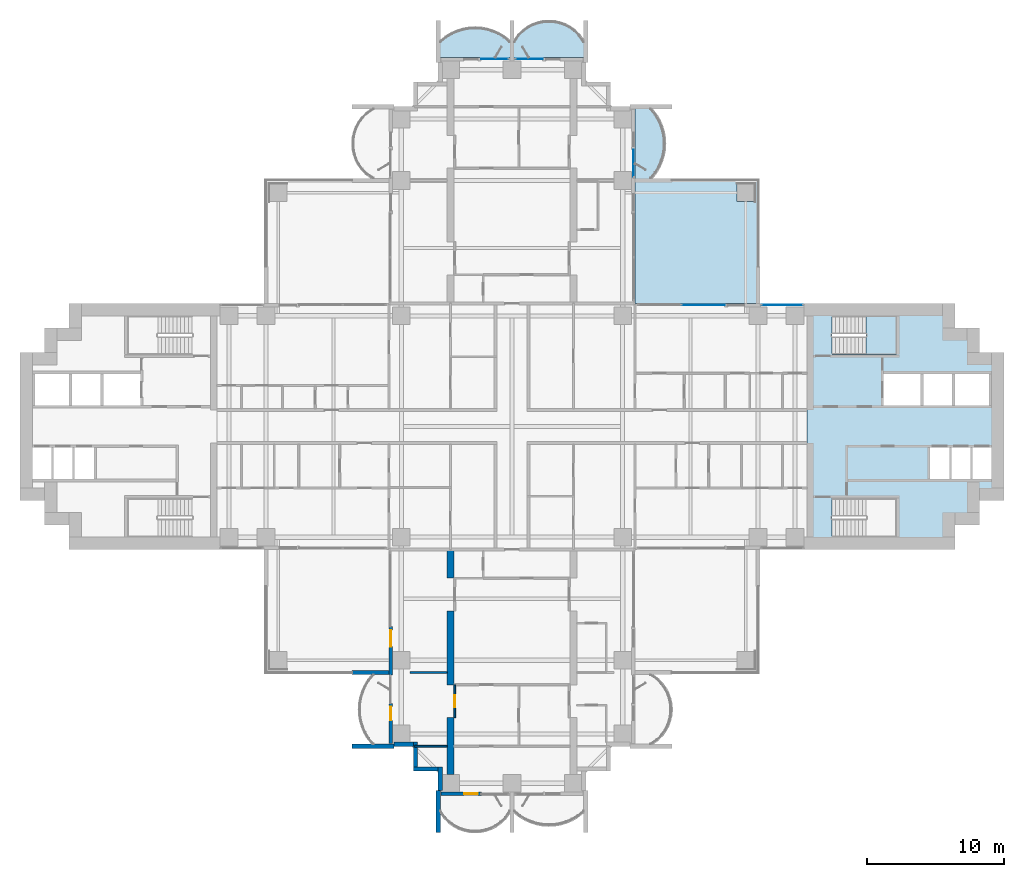
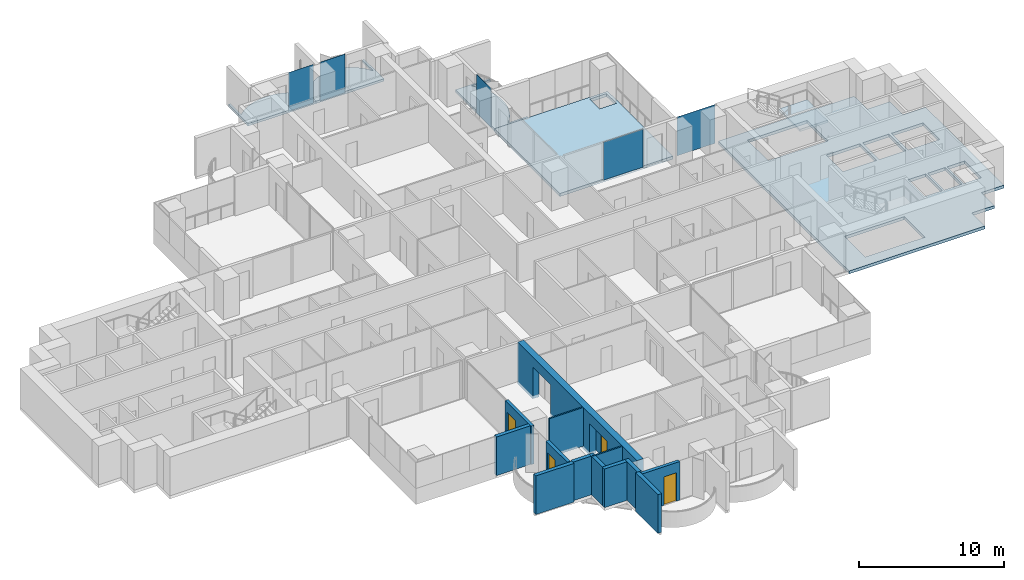
# One storey, part 9 of 21: 14 walls, 6 slabs, 5 plates, 4 doors, 4 openings, 6 elements without a shape of their own.
"""IFC4 building model written with IfcOpenShell, lengths in metres."""

from ifc_helpers import new_model, si_unit, direction, frame, frame_2d, origin, origin_2d, place, context, subcontext, project, spatial, polyline, rectangle, outline, extrude, material, layer, layer_set, material_profile, profile_set, type_object, element, fill, aggregate, save


model = new_model("IFC4")

# Units and contexts
model_context = context("Model", 3, precision=1e-05, world=origin(), true_north=direction((0.0, 1.0)))
body_context = subcontext(model_context, "Body", "Model", "MODEL_VIEW")
ifc_project = project(units=[si_unit("LENGTHUNIT", "METRE"), si_unit("AREAUNIT", "SQUARE_METRE"), si_unit("VOLUMEUNIT", "CUBIC_METRE"), si_unit("PLANEANGLEUNIT", "RADIAN"), si_unit("MASSUNIT", "GRAM", prefix="KILO")], contexts=[model_context])

# Site, building, storey
site_placement = place(None, origin())
site = spatial("IfcSite", under=ifc_project, at=site_placement, CompositionType="ELEMENT")
building_placement = place(site_placement, origin())
building = spatial("IfcBuilding", under=site, at=building_placement, Name="Perihelion Cross Residences", CompositionType="ELEMENT")
storey_placement = place(building_placement, frame((0.0, 0.0, 54.0)))
storey = spatial("IfcBuildingStorey", under=building, at=storey_placement, Name="L10", CompositionType="ELEMENT", Elevation=54.0)

# Slabs
ifc_material_1 = material(Name="Concrete C40/50", Category="concrete")
ifc_layer_1 = layer(ifc_material_1, 0.199951171875)
ifc_layer_set_1 = layer_set([ifc_layer_1], Name="Balcony slab 200")
slab_type_1 = type_object("IfcSlabType", Name="Balcony slab 200", PredefinedType="FLOOR", material=ifc_layer_set_1)
slab_1_placement = place(storey_placement, frame((0.0, 0.0, -0.199951171875)))
element("IfcSlab", 1, at=slab_1_placement, inside=storey, type_object=slab_type_1, Name="Slab BK1 L10 north side east bay 2 balcony", PredefinedType="FLOOR", context=body_context, shape_type="SweptSolid", body=[
    extrude(outline(polyline([(9.0, 18.0), (9.0, 23.39990234375), (11.699951171875, 23.39990234375), (11.699951171875, 23.25), (10.199951171875, 23.25), (10.5400390625, 22.824951171875), (10.792724609375, 22.39990234375), (10.9765625, 21.97509765625), (11.1025390625, 21.550048828125), (11.17578125, 21.125), (11.199951171875, 20.699951171875), (11.17578125, 20.27490234375), (11.1025390625, 19.85009765625), (10.9765625, 19.425048828125), (10.792724609375, 19.0), (10.5400390625, 18.574951171875), (10.199951171875, 18.14990234375), (11.699951171875, 18.14990234375), (11.699951171875, 18.0), (9.0, 18.0)])), origin(), (0.0, 0.0, 1.0), 0.199951171875),
])
slab_2_placement = place(storey_placement, frame((0.0, 0.0, -0.199951171875)))
element("IfcSlab", 2, at=slab_2_placement, inside=storey, type_object=slab_type_1, Name="Slab BK1 L10 north tip north bay 1 balcony", PredefinedType="FLOOR", context=body_context, shape_type="SweptSolid", body=[
    extrude(outline(polyline([(5.39990234375, 27.0), (0.0, 27.0), (0.0, 29.699951171875), (0.14990234375, 29.699951171875), (0.14990234375, 28.199951171875), (0.489990234375, 28.6767578125), (0.830078125, 29.007080078125), (1.169921875, 29.2490234375), (1.510009765625, 29.42724609375), (1.85009765625, 29.553466796875), (2.18994140625, 29.63427734375), (2.530029296875, 29.674072265625), (2.8701171875, 29.674072265625), (3.2099609375, 29.63427734375), (3.550048828125, 29.553466796875), (3.889892578125, 29.42724609375), (4.22998046875, 29.2490234375), (4.570068359375, 29.007080078125), (4.909912109375, 28.6767578125), (5.25, 28.199951171875), (5.25, 29.699951171875), (5.39990234375, 29.699951171875), (5.39990234375, 27.0)])), origin(), (0.0, 0.0, 1.0), 0.199951171875),
])
slab_3_placement = place(storey_placement, frame((0.0, 0.0, -0.199951171875)))
element("IfcSlab", 3, at=slab_3_placement, inside=storey, type_object=slab_type_1, Name="Slab BK1 L10 north tip north bay 2 balcony", PredefinedType="FLOOR", context=body_context, shape_type="SweptSolid", body=[
    extrude(outline(polyline([(0.0, 27.0), (-5.39990234375, 27.0), (-5.39990234375, 29.699951171875), (-5.25, 29.699951171875), (-5.25, 28.199951171875), (-4.824951171875, 28.5400390625), (-4.39990234375, 28.792724609375), (-3.97509765625, 28.9765625), (-3.550048828125, 29.1025390625), (-3.125, 29.17578125), (-2.699951171875, 29.199951171875), (-2.27490234375, 29.17578125), (-1.85009765625, 29.1025390625), (-1.425048828125, 28.9765625), (-1.0, 28.792724609375), (-0.574951171875, 28.5400390625), (-0.14990234375, 28.199951171875), (-0.14990234375, 29.699951171875), (0.0, 29.699951171875), (0.0, 27.0)])), origin(), (0.0, 0.0, 1.0), 0.199951171875),
])

# Curtain wall, plate
ifc_material_2 = material(Name="Bronze anodised aluminium, tinted glazing", Category="aluminium")
curtain_wall_type = type_object("IfcCurtainWallType", Name="CW1", PredefinedType="NOTDEFINED", material=ifc_material_2)
curtain_wall_1_placement = place(storey_placement, origin())
curtain_wall_1 = element("IfcCurtainWall", 4, at=curtain_wall_1_placement, inside=storey, type_object=curtain_wall_type, Name="Curtain wall CW1 L10 east side north bay 1", PredefinedType="NOTDEFINED")
ifc_material_3 = material(Name="Tinted laminated glass", Category="glass")
ifc_layer_2 = layer(ifc_material_3, 0.028076171875)
ifc_layer_set_2 = layer_set([ifc_layer_2], Name="CW1 panel")
plate_type = type_object("IfcPlateType", Name="CW1 panel", PredefinedType="CURTAIN_PANEL", material=ifc_layer_set_2)
plate_1_placement = place(storey_placement, frame((19.77490234375, 8.89990234375, 0.0), z_axis=(0.0, 0.0, 1.0), x_axis=(-1.0, 0.0, 0.0)))
plate_1 = element("IfcPlate", 5, at=plate_1_placement, type_object=plate_type, Name="CW1 panel 1", PredefinedType="CURTAIN_PANEL", context=body_context, shape_type="SweptSolid", body=[
    extrude(rectangle(XDim=3.030029296875, YDim=0.028076171875, at=origin_2d()), origin(), (0.0, 0.0, 1.0), 3.25),
])
aggregate(curtain_wall_1, [plate_1])

curtain_wall_2_placement = place(storey_placement, origin())
curtain_wall_2 = element("IfcCurtainWall", 6, at=curtain_wall_2_placement, inside=storey, type_object=curtain_wall_type, Name="Curtain wall CW1 L10 east side north bay 2", PredefinedType="NOTDEFINED")
plate_2_placement = place(storey_placement, frame((13.9775390625, 8.89990234375, 0.0), z_axis=(0.0, 0.0, 1.0), x_axis=(-1.0, 0.0, 0.0)))
plate_2 = element("IfcPlate", 7, at=plate_2_placement, type_object=plate_type, Name="CW1 panel 1", PredefinedType="CURTAIN_PANEL", context=body_context, shape_type="SweptSolid", body=[
    extrude(rectangle(XDim=3.14501953125, YDim=0.028076171875, at=origin_2d()), origin(), (0.0, 0.0, 1.0), 3.18994140625),
])
aggregate(curtain_wall_2, [plate_2])

curtain_wall_3_placement = place(storey_placement, origin())
curtain_wall_3 = element("IfcCurtainWall", 8, at=curtain_wall_3_placement, inside=storey, type_object=curtain_wall_type, Name="Curtain wall CW1 L10 north side east bay 2", PredefinedType="NOTDEFINED")
plate_3_placement = place(storey_placement, frame((8.89990234375, 19.2548828125, 0.0), z_axis=(0.0, 0.0, 1.0), x_axis=(0.0, 1.0, 0.0)))
plate_3 = element("IfcPlate", 9, at=plate_3_placement, type_object=plate_type, Name="CW1 panel 1", PredefinedType="CURTAIN_PANEL", context=body_context, shape_type="SweptSolid", body=[
    extrude(rectangle(XDim=1.989990234375, YDim=0.028076171875, at=origin_2d()), origin(), (0.0, 0.0, 1.0), 3.25),
])
aggregate(curtain_wall_3, [plate_3])

curtain_wall_4_placement = place(storey_placement, origin())
curtain_wall_4 = element("IfcCurtainWall", 10, at=curtain_wall_4_placement, inside=storey, type_object=curtain_wall_type, Name="Curtain wall CW1 L10 north tip north bay 1", PredefinedType="NOTDEFINED")
plate_4_placement = place(storey_placement, frame((1.2548828125, 26.89990234375, 0.0), z_axis=(0.0, 0.0, 1.0), x_axis=(-1.0, 0.0, 0.0)))
plate_4 = element("IfcPlate", 11, at=plate_4_placement, type_object=plate_type, Name="CW1 panel 1", PredefinedType="CURTAIN_PANEL", context=body_context, shape_type="SweptSolid", body=[
    extrude(rectangle(XDim=1.989990234375, YDim=0.028076171875, at=origin_2d()), origin(), (0.0, 0.0, 1.0), 3.25),
])
aggregate(curtain_wall_4, [plate_4])

curtain_wall_5_placement = place(storey_placement, origin())
curtain_wall_5 = element("IfcCurtainWall", 12, at=curtain_wall_5_placement, inside=storey, type_object=curtain_wall_type, Name="Curtain wall CW1 L10 north tip north bay 2", PredefinedType="NOTDEFINED")
plate_5_placement = place(storey_placement, frame((-1.2548828125, 26.89990234375, 0.0), z_axis=(0.0, 0.0, 1.0), x_axis=(-1.0, 0.0, 0.0)))
plate_5 = element("IfcPlate", 13, at=plate_5_placement, type_object=plate_type, Name="CW1 panel 1", PredefinedType="CURTAIN_PANEL", context=body_context, shape_type="SweptSolid", body=[
    extrude(rectangle(XDim=1.989990234375, YDim=0.028076171875, at=origin_2d()), origin(), (0.0, 0.0, 1.0), 3.25),
])
aggregate(curtain_wall_5, [plate_5])

# Slabs
ifc_material_4 = material(Name="Concrete C40/50", Category="concrete")
ifc_layer_3 = layer(ifc_material_4, 0.25)
ifc_layer_set_3 = layer_set([ifc_layer_3], Name="Core floor slab 250")
slab_type_2 = type_object("IfcSlabType", Name="Core floor slab 250", PredefinedType="FLOOR", material=ifc_layer_set_3)
slab_4_placement = place(storey_placement, frame((0.0, 0.0, -0.25)))
element("IfcSlab", 14, at=slab_4_placement, inside=storey, type_object=slab_type_2, Name="East core floor slab", PredefinedType="FLOOR", context=body_context, shape_type="SweptSolid", body=[
    extrude(outline(polyline([(32.39990234375, 7.199951171875), (34.199951171875, 7.199951171875), (34.199951171875, 5.39990234375), (36.0, 5.39990234375), (36.0, -5.39990234375), (34.199951171875, -5.39990234375), (34.199951171875, -7.199951171875), (32.39990234375, -7.199951171875), (32.39990234375, -9.0), (21.60009765625, -9.0), (21.60009765625, 9.0), (32.39990234375, 9.0), (32.39990234375, 7.199951171875)]), holes=[polyline([(23.405029296875, -8.10009765625), (28.14990234375, -8.10009765625), (28.14990234375, -5.25), (23.405029296875, -5.25), (23.405029296875, -8.10009765625)]), polyline([(30.60009765625, -1.550048828125), (30.60009765625, -3.85009765625), (32.0, -3.85009765625), (32.0, -1.550048828125), (30.60009765625, -1.550048828125)]), polyline([(32.14990234375, -1.550048828125), (32.14990234375, -3.85009765625), (33.550048828125, -3.85009765625), (33.550048828125, -1.550048828125), (32.14990234375, -1.550048828125)]), polyline([(33.699951171875, -1.550048828125), (33.699951171875, -3.85009765625), (35.10009765625, -3.85009765625), (35.10009765625, -1.550048828125), (33.699951171875, -1.550048828125)]), polyline([(27.199951171875, 3.85009765625), (27.199951171875, 1.550048828125), (29.89990234375, 1.550048828125), (29.89990234375, 3.85009765625), (27.199951171875, 3.85009765625)]), polyline([(30.10009765625, 3.85009765625), (30.10009765625, 1.550048828125), (32.199951171875, 1.550048828125), (32.199951171875, 3.85009765625), (30.10009765625, 3.85009765625)]), polyline([(32.39990234375, 3.85009765625), (32.39990234375, 1.550048828125), (34.89990234375, 1.550048828125), (34.89990234375, 3.85009765625), (32.39990234375, 3.85009765625)]), polyline([(23.405029296875, 5.25), (28.14990234375, 5.25), (28.14990234375, 8.10009765625), (23.405029296875, 8.10009765625), (23.405029296875, 5.25)])]), origin(), (0.0, 0.0, 1.0), 0.25),
])
ifc_material_5 = material(Name="Concrete C40/50", Category="concrete")
ifc_layer_4 = layer(ifc_material_5, 0.25)
ifc_layer_set_4 = layer_set([ifc_layer_4], Name="Corner terrace slab")
slab_type_3 = type_object("IfcSlabType", Name="Corner terrace slab", PredefinedType="FLOOR", material=ifc_layer_set_4)
slab_5_placement = place(storey_placement, frame((0.0, 0.0, -0.25)))
element("IfcSlab", 15, at=slab_5_placement, inside=storey, type_object=slab_type_3, Name="Slab BK2 L10 pocket north-east", PredefinedType="FLOOR", context=body_context, shape_type="SweptSolid", body=[
    extrude(outline(polyline([(18.0, 9.0), (18.0, 18.0), (9.0, 18.0), (9.0, 9.0), (18.0, 9.0)]), holes=[polyline([(16.449951171875, 16.449951171875), (16.449951171875, 17.7900390625), (17.7900390625, 17.7900390625), (17.7900390625, 16.409912109375), (17.75, 16.409912109375), (17.75, 16.449951171875), (16.449951171875, 16.449951171875)])]), origin(), (0.0, 0.0, 1.0), 0.25),
])

# Stair, slab
ifc_material_6 = material(Name="Concrete C40/50", Category="concrete")
stair_type = type_object("IfcStairType", Name="Exit stair, half-turn", PredefinedType="HALF_TURN_STAIR", material=ifc_material_6)
stair_placement = place(storey_placement, origin())
stair = element("IfcStair", 16, at=stair_placement, inside=storey, type_object=stair_type, Name="L10 East core exit stair 1", PredefinedType="HALF_TURN_STAIR")
ifc_material_7 = material(Name="Concrete C40/50", Category="concrete")
ifc_layer_5 = layer(ifc_material_7, 0.199951171875)
ifc_layer_set_5 = layer_set([ifc_layer_5], Name="Exit stair landing 200")
slab_type_4 = type_object("IfcSlabType", Name="Exit stair landing 200", PredefinedType="LANDING", material=ifc_layer_set_5)
slab_6_placement = place(storey_placement, frame((0.0, 0.0, 1.550048828125)))
slab_6 = element("IfcSlab", 17, at=slab_6_placement, type_object=slab_type_4, Name="ST-E1 landing 1", PredefinedType="LANDING", context=body_context, shape_type="SweptSolid", body=[
    extrude(outline(polyline([(25.919921875, 5.25), (28.14990234375, 5.25), (28.14990234375, 8.10009765625), (25.919921875, 8.10009765625), (25.919921875, 5.25)])), origin(), (0.0, 0.0, 1.0), 0.199951171875),
])
aggregate(stair, [slab_6])

# Wall, opening, door
ifc_material_8 = material(Name="Concrete C30/37, bronze-clad", Category="concrete")
ifc_layer_6 = layer(ifc_material_8, 0.25)
ifc_layer_set_6 = layer_set([ifc_layer_6], Name="Bronze-clad pier wall 250")
wall_type_1 = type_object("IfcWallType", Name="Bronze-clad pier wall 250", PredefinedType="SOLIDWALL", material=ifc_layer_set_6)
wall_1_placement = place(storey_placement, frame((-8.875, -14.64990234375, 0.0), z_axis=(0.0, 0.0, 1.0), x_axis=(0.0, -1.0, 0.0)))
wall_1 = element("IfcWall", 18, at=wall_1_placement, inside=storey, type_object=wall_type_1, Name="Wall FW1 L10 south side west bay 1 pier", PredefinedType="SOLIDWALL", context=body_context, shape_type="SweptSolid", body=[
    extrude(rectangle(XDim=3.550048828125, YDim=0.25, at=frame_2d((1.77490234375, 0.0))), origin(), (0.0, 0.0, 1.0), 3.25),
])
opening_1_placement = place(wall_1_placement, frame((0.25, 0.0, 0.0)))
opening_1 = element("IfcOpeningElement", 19, at=opening_1_placement, cuts=wall_1, Name="Opening L10.E10", PredefinedType="OPENING", context=body_context, shape_type="SweptSolid", body=[
    extrude(rectangle(XDim=1.199951171875, YDim=2.39990234375, at=frame_2d((0.60009765625, 1.199951171875))), frame((0.0, 0.135009765625, 0.0), z_axis=(0.0, -1.0, 0.0), x_axis=(1.0, 0.0, 0.0)), (0.0, 0.0, 1.0), 0.27001953125),
])
ifc_material_9 = material(Name="Bronze anodised aluminium, glazed", Category="aluminium")
door_type_1 = type_object("IfcDoorType", Name="Balcony door 1200 x 2400", OperationType="NOTDEFINED", PredefinedType="DOOR", material=ifc_material_9)
door_1_placement = place(opening_1_placement, origin())
door_1 = element("IfcDoor", 20, at=door_1_placement, inside=storey, type_object=door_type_1, Name="Door L10.E10 south side west bay 1", OperationType="SINGLE_SWING_LEFT", OverallHeight=2.39990234375, OverallWidth=1.199951171875, PredefinedType="DOOR", context=body_context, shape_type="SweptSolid", body=[
    extrude(rectangle(XDim=1.199951171875, YDim=2.39990234375, at=frame_2d((0.60009765625, 1.199951171875))), frame((0.0, 0.02490234375, 0.0), z_axis=(0.0, -1.0, 0.0), x_axis=(1.0, 0.0, 0.0)), (0.0, 0.0, 1.0), 0.050048828125),
])
fill(opening_1, door_1)

wall_2_placement = place(storey_placement, frame((-8.875, -20.25, 0.0), z_axis=(0.0, 0.0, 1.0), x_axis=(0.0, -1.0, 0.0)))
wall_2 = element("IfcWall", 21, at=wall_2_placement, inside=storey, type_object=wall_type_1, Name="Wall FW1 L10 south side west bay 2 pier", PredefinedType="SOLIDWALL", context=body_context, shape_type="SweptSolid", body=[
    extrude(rectangle(XDim=2.949951171875, YDim=0.25, at=frame_2d((1.47509765625, 0.0))), origin(), (0.0, 0.0, 1.0), 3.25),
])
opening_2_placement = place(wall_2_placement, frame((0.25, 0.0, 0.0)))
opening_2 = element("IfcOpeningElement", 22, at=opening_2_placement, cuts=wall_2, Name="Opening L10.E11", PredefinedType="OPENING", context=body_context, shape_type="SweptSolid", body=[
    extrude(rectangle(XDim=1.0, YDim=2.39990234375, at=frame_2d((0.5, 1.199951171875))), frame((0.0, 0.135009765625, 0.0), z_axis=(0.0, -1.0, 0.0), x_axis=(1.0, 0.0, 0.0)), (0.0, 0.0, 1.0), 0.27001953125),
])
ifc_material_10 = material(Name="Bronze anodised aluminium, glazed", Category="aluminium")
door_type_2 = type_object("IfcDoorType", Name="Balcony door 1000 x 2400", OperationType="NOTDEFINED", PredefinedType="DOOR", material=ifc_material_10)
door_2_placement = place(opening_2_placement, origin())
door_2 = element("IfcDoor", 23, at=door_2_placement, inside=storey, type_object=door_type_2, Name="Door L10.E11 south side west bay 2", OperationType="SINGLE_SWING_RIGHT", OverallHeight=2.39990234375, OverallWidth=1.0, PredefinedType="DOOR", context=body_context, shape_type="SweptSolid", body=[
    extrude(rectangle(XDim=1.0, YDim=2.39990234375, at=frame_2d((0.5, 1.199951171875))), frame((0.0, 0.02490234375, 0.0), z_axis=(0.0, -1.0, 0.0), x_axis=(1.0, 0.0, 0.0)), (0.0, 0.0, 1.0), 0.050048828125),
])
fill(opening_2, door_2)

wall_3_placement = place(storey_placement, frame((-5.199951171875, -26.875, 0.0), z_axis=(0.0, 0.0, 1.0), x_axis=(1.0, 0.0, 0.0)))
wall_3 = element("IfcWall", 24, at=wall_3_placement, inside=storey, type_object=wall_type_1, Name="Wall FW1 L10 south tip south bay 1 pier", PredefinedType="SOLIDWALL", context=body_context, shape_type="SweptSolid", body=[
    extrude(rectangle(XDim=2.949951171875, YDim=0.25, at=frame_2d((1.47509765625, 0.0))), origin(), (0.0, 0.0, 1.0), 3.25),
])
opening_3_placement = place(wall_3_placement, frame((1.699951171875, 0.0, 0.0)))
opening_3 = element("IfcOpeningElement", 25, at=opening_3_placement, cuts=wall_3, Name="Opening L10.E12", PredefinedType="OPENING", context=body_context, shape_type="SweptSolid", body=[
    extrude(rectangle(XDim=1.0, YDim=2.39990234375, at=frame_2d((0.5, 1.199951171875))), frame((0.0, 0.135009765625, 0.0), z_axis=(0.0, -1.0, 0.0), x_axis=(1.0, 0.0, 0.0)), (0.0, 0.0, 1.0), 0.27001953125),
])
door_3_placement = place(opening_3_placement, origin())
door_3 = element("IfcDoor", 26, at=door_3_placement, inside=storey, type_object=door_type_2, Name="Door L10.E12 south tip south bay 1", OperationType="SINGLE_SWING_LEFT", OverallHeight=2.39990234375, OverallWidth=1.0, PredefinedType="DOOR", context=body_context, shape_type="SweptSolid", body=[
    extrude(rectangle(XDim=1.0, YDim=2.39990234375, at=frame_2d((0.5, 1.199951171875))), frame((0.0, 0.02490234375, 0.0), z_axis=(0.0, -1.0, 0.0), x_axis=(1.0, 0.0, 0.0)), (0.0, 0.0, 1.0), 0.050048828125),
])
fill(opening_3, door_3)

# Walls
ifc_material_11 = material(Name="Concrete C30/37, bronze-clad", Category="concrete")
ifc_layer_7 = layer(ifc_material_11, 0.300048828125)
ifc_layer_set_7 = layer_set([ifc_layer_7], Name="Bronze-clad serration wall 300")
wall_type_2 = type_object("IfcWallType", Name="Bronze-clad serration wall 300", PredefinedType="SOLIDWALL", material=ifc_layer_set_7)
wall_4_placement = place(storey_placement, frame((-8.64990234375, -23.25, 0.0), z_axis=(0.0, 0.0, 1.0), x_axis=(1.0, 0.0, 0.0)))
element("IfcWall", 27, at=wall_4_placement, inside=storey, type_object=wall_type_2, Name="Wall SR1 L10 south corner south-west 1", PredefinedType="SOLIDWALL", context=body_context, shape_type="SweptSolid", body=[
    extrude(rectangle(XDim=1.449951171875, YDim=0.300048828125, at=frame_2d((0.72509765625, 0.0))), origin(), (0.0, 0.0, 1.0), 3.25),
])
wall_5_placement = place(storey_placement, frame((-7.050048828125, -23.10009765625, 0.0), z_axis=(0.0, 0.0, 1.0), x_axis=(0.0, -1.0, 0.0)))
element("IfcWall", 28, at=wall_5_placement, inside=storey, type_object=wall_type_2, Name="Wall SR1 L10 south corner south-west 2", PredefinedType="SOLIDWALL", context=body_context, shape_type="SweptSolid", body=[
    extrude(rectangle(XDim=1.7998046875, YDim=0.300048828125, at=frame_2d((0.89990234375, 0.0))), origin(), (0.0, 0.0, 1.0), 3.25),
])
wall_6_placement = place(storey_placement, frame((-7.199951171875, -25.050048828125, 0.0), z_axis=(0.0, 0.0, 1.0), x_axis=(1.0, 0.0, 0.0)))
element("IfcWall", 29, at=wall_6_placement, inside=storey, type_object=wall_type_2, Name="Wall SR1 L10 south corner south-west 3", PredefinedType="SOLIDWALL", context=body_context, shape_type="SweptSolid", body=[
    extrude(rectangle(XDim=1.800048828125, YDim=0.300048828125, at=frame_2d((0.89990234375, 0.0))), origin(), (0.0, 0.0, 1.0), 3.25),
])
wall_7_placement = place(storey_placement, frame((-5.25, -24.89990234375, 0.0), z_axis=(0.0, 0.0, 1.0), x_axis=(0.0, -1.0, 0.0)))
element("IfcWall", 30, at=wall_7_placement, inside=storey, type_object=wall_type_2, Name="Wall SR1 L10 south corner south-west 4", PredefinedType="SOLIDWALL", context=body_context, shape_type="SweptSolid", body=[
    extrude(rectangle(XDim=1.75, YDim=0.300048828125, at=frame_2d((0.875, 0.0))), origin(), (0.0, 0.0, 1.0), 3.25),
])

# Wall, opening, door
ifc_material_12 = material(Name="Plasterboard partition")
ifc_layer_8 = layer(ifc_material_12, 0.1201171875)
ifc_layer_set_8 = layer_set([ifc_layer_8], Name="Infill panel 120")
wall_type_3 = type_object("IfcWallType", Name="Infill panel 120", PredefinedType="PARTITIONING", material=ifc_layer_set_8)
wall_8_placement = place(storey_placement, frame((-4.18994140625, -18.89990234375, 0.0), z_axis=(0.0, 0.0, 1.0), x_axis=(0.0, -1.0, 0.0)))
wall_8 = element("IfcWall", 31, at=wall_8_placement, inside=storey, type_object=wall_type_3, Name="Partition L10 WI08", PredefinedType="PARTITIONING", context=body_context, shape_type="SweptSolid", body=[
    extrude(rectangle(XDim=2.400146484375, YDim=0.1201171875, at=frame_2d((1.2001953125, 0.0))), origin(), (0.0, 0.0, 1.0), 2.39990234375),
])
opening_4_placement = place(wall_8_placement, frame((0.75, 0.0, 0.0)))
opening_4 = element("IfcOpeningElement", 32, at=opening_4_placement, cuts=wall_8, Name="Opening L10.A58", PredefinedType="OPENING", context=body_context, shape_type="SweptSolid", body=[
    extrude(rectangle(XDim=0.89990234375, YDim=2.10009765625, at=frame_2d((0.449951171875, 1.050048828125))), frame((0.0, 0.070068359375, 0.0), z_axis=(0.0, -1.0, 0.0), x_axis=(1.0, 0.0, 0.0)), (0.0, 0.0, 1.0), 0.14013671875),
])
ifc_material_13 = material(Name="Timber door leaf", Category="wood")
door_type_3 = type_object("IfcDoorType", Name="Interior room door 900 x 2100", OperationType="SINGLE_SWING_LEFT", PredefinedType="DOOR", material=ifc_material_13)
door_4_placement = place(opening_4_placement, origin())
door_4 = element("IfcDoor", 33, at=door_4_placement, inside=storey, type_object=door_type_3, Name="Door L10.A58", OperationType="SINGLE_SWING_RIGHT", OverallHeight=2.10009765625, OverallWidth=0.89990234375, PredefinedType="DOOR", context=body_context, shape_type="SweptSolid", body=[
    extrude(rectangle(XDim=0.89990234375, YDim=2.10009765625, at=frame_2d((0.449951171875, 1.050048828125))), frame((0.0, 0.02490234375, 0.0), z_axis=(0.0, -1.0, 0.0), x_axis=(1.0, 0.0, 0.0)), (0.0, 0.0, 1.0), 0.050048828125),
])
fill(opening_4, door_4)

# Walls
ifc_material_14 = material(Name="Plasterboard partition")
ifc_layer_9 = layer(ifc_material_14, 0.1201171875)
ifc_layer_set_9 = layer_set([ifc_layer_9], Name="Partition wall 120")
wall_type_4 = type_object("IfcWallType", Name="Partition wall 120", PredefinedType="PARTITIONING", material=ifc_layer_set_9)
wall_9_placement = place(storey_placement, frame((-4.75, -18.0, 0.0), z_axis=(0.0, 0.0, 1.0), x_axis=(-1.0, 0.0, 0.0)))
element("IfcWall", 34, at=wall_9_placement, inside=storey, type_object=wall_type_4, Name="Partition L10 W079", PredefinedType="PARTITIONING", context=body_context, shape_type="SweptSolid", body=[
    extrude(rectangle(XDim=2.699951171875, YDim=0.1201171875, at=frame_2d((1.35009765625, 0.0))), origin(), (0.0, 0.0, 1.0), 3.25),
])
wall_10_placement = place(storey_placement, frame((-4.75, -23.39990234375, 0.0), z_axis=(0.0, 0.0, 1.0), x_axis=(-1.0, 0.0, 0.0)))
element("IfcWall", 35, at=wall_10_placement, inside=storey, type_object=wall_type_4, Name="Partition L10 W080", PredefinedType="PARTITIONING", context=body_context, shape_type="SweptSolid", body=[
    extrude(rectangle(XDim=2.3701171875, YDim=0.1201171875, at=frame_2d((1.18505859375, 0.0))), origin(), (0.0, 0.0, 1.0), 3.25),
])
ifc_material_15 = material(Name="Precast concrete C50/60", Category="concrete")
ifc_layer_10 = layer(ifc_material_15, 0.300048828125)
ifc_layer_set_10 = layer_set([ifc_layer_10], Name="Precast concrete C50/60 blade wall 300")
wall_type_5 = type_object("IfcWallType", Name="Precast concrete C50/60 blade wall 300", PredefinedType="SOLIDWALL", material=ifc_layer_set_10)
wall_11_placement = place(storey_placement, frame((-8.64990234375, -23.39990234375, 0.0), z_axis=(0.0, 0.0, 1.0), x_axis=(-1.0, 0.0, 0.0)))
element("IfcWall", 36, at=wall_11_placement, inside=storey, type_object=wall_type_5, Name="Wall BL1 L10 no. 6", PredefinedType="SOLIDWALL", context=body_context, shape_type="SweptSolid", body=[
    extrude(rectangle(XDim=3.050048828125, YDim=0.300048828125, at=frame_2d((1.52490234375, 0.0))), origin(), (0.0, 0.0, 1.0), 3.25),
])
wall_12_placement = place(storey_placement, frame((-9.0, -18.0, 0.0), z_axis=(0.0, 0.0, 1.0), x_axis=(-1.0, 0.0, 0.0)))
element("IfcWall", 37, at=wall_12_placement, inside=storey, type_object=wall_type_5, Name="Wall BL1 L10 no. 5", PredefinedType="SOLIDWALL", context=body_context, shape_type="SweptSolid", body=[
    extrude(rectangle(XDim=2.699951171875, YDim=0.300048828125, at=frame_2d((1.35009765625, 0.0))), origin(), (0.0, 0.0, 1.0), 3.25),
])
wall_13_placement = place(storey_placement, frame((-5.39990234375, -26.64990234375, 0.0), z_axis=(0.0, 0.0, 1.0), x_axis=(0.0, -1.0, 0.0)))
element("IfcWall", 38, at=wall_13_placement, inside=storey, type_object=wall_type_5, Name="Wall BL1 L10 no. 3", PredefinedType="SOLIDWALL", context=body_context, shape_type="SweptSolid", body=[
    extrude(rectangle(XDim=3.050048828125, YDim=0.300048828125, at=frame_2d((1.52490234375, 0.0))), origin(), (0.0, 0.0, 1.0), 3.25),
])
ifc_material_16 = material(Name="Concrete C60/75", Category="concrete")
ifc_material_profile = material_profile(ifc_material_16, outline(polyline([(0.0, 0.0), (4.14990234375, 0.0), (4.14990234375, 2.64990234375), (6.550048828125, 2.64990234375), (6.550048828125, 0.0), (11.949951171875, 0.0), (11.949951171875, 2.64990234375), (14.35009765625, 2.64990234375), (14.35009765625, 0.0), (16.449951171875, 0.0), (16.449951171875, 3.5), (0.0, 3.5), (0.0, 0.0)])), Name="Tip spine wall")
ifc_profile_set = profile_set([ifc_material_profile], Name="Concrete C60/75")
wall_type_6 = type_object("IfcWallType", Name="Tip spine wall 500 with 2 door openings 16450 long 3500 high concrete C60/75 hand A", PredefinedType="SHEAR", material=ifc_profile_set)
wall_14_placement = place(storey_placement, frame((-4.75, -25.449951171875, -0.25), z_axis=(1.0, 0.0, 0.0), x_axis=(0.0, 1.0, 0.0)))
element("IfcWall", 39, at=wall_14_placement, inside=storey, type_object=wall_type_6, Name="Shear wall SW24 L10 south west", PredefinedType="SHEAR", context=body_context, shape_type="SweptSolid", body=[
    extrude(outline(polyline([(0.0, 0.0), (4.14990234375, 0.0), (4.14990234375, 2.64990234375), (6.550048828125, 2.64990234375), (6.550048828125, 0.0), (11.949951171875, 0.0), (11.949951171875, 2.64990234375), (14.35009765625, 2.64990234375), (14.35009765625, 0.0), (16.449951171875, 0.0), (16.449951171875, 3.5), (0.0, 3.5), (0.0, 0.0)])), origin(), (0.0, 0.0, 1.0), 0.5),
])

save(model, "model.ifc")
